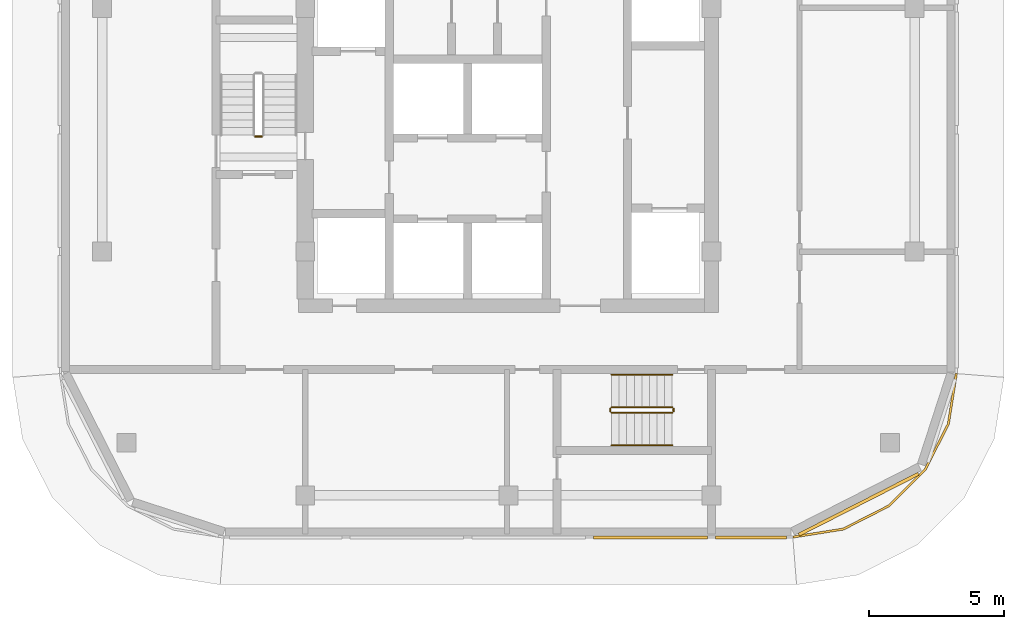
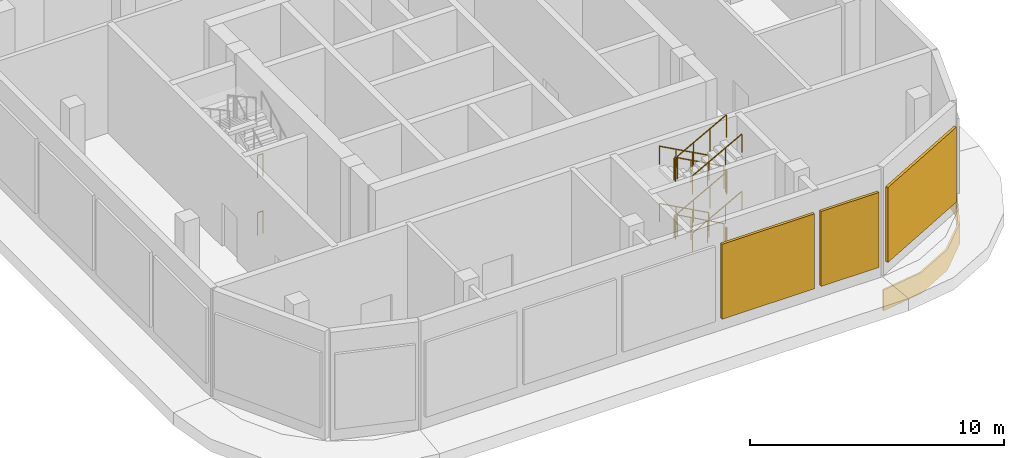
# One storey, part 22 of 23: 14 railings, 3 shading devices, 1 covering.
"""IFC4 building model written with IfcOpenShell, lengths in metres."""

from ifc_helpers import new_model, si_unit, direction, frame, origin, origin_2d, place, context, subcontext, project, spatial, polyline, rectangle, circle, outline, extrude, material, layer, layer_set, type_object, element, save


model = new_model("IFC4")

# Units and contexts
model_context = context("Model", 3, precision=1e-05, world=origin(), true_north=direction((0.0, 1.0)))
body_context = subcontext(model_context, "Body", "Model", "MODEL_VIEW")
ifc_project = project(units=[si_unit("LENGTHUNIT", "METRE"), si_unit("AREAUNIT", "SQUARE_METRE"), si_unit("VOLUMEUNIT", "CUBIC_METRE"), si_unit("PLANEANGLEUNIT", "RADIAN"), si_unit("MASSUNIT", "GRAM", prefix="KILO")], contexts=[model_context])

# Site, building, storey
site_placement = place(None, origin())
site = spatial("IfcSite", under=ifc_project, at=site_placement, CompositionType="ELEMENT")
building_placement = place(site_placement, origin())
building = spatial("IfcBuilding", under=site, at=building_placement, Name="Ogive Portal Towers", CompositionType="ELEMENT")
storey_placement = place(building_placement, frame((0.0, 0.0, 81.60009765625)))
storey = spatial("IfcBuildingStorey", under=building, at=storey_placement, Name="L19", CompositionType="ELEMENT", Elevation=81.60009765625)

# Railings
ifc_material_1 = material(Name="Stainless steel balustrade", Category="steel")
railing_type_1 = type_object("IfcRailingType", Name="INT-GUARD", PredefinedType="GUARDRAIL", material=ifc_material_1)
for number, where, name in (
    (1, (127.39990234375, 30.75, 2.75), "L19 ST-B1 stair guard 4"),
    (2, (127.39990234375, 30.75, 0.0), "L19 ST-B1 stair guard 8"),
):
    element("IfcRailing", number, at=place(storey_placement, frame(where)), inside=storey, type_object=railing_type_1, Name=name, PredefinedType="GUARDRAIL", context=body_context, shape_type="SweptSolid", body=[
        extrude(circle(Radius=0.02392578125, at=origin_2d()), frame((0.0, 0.0, 1.076171875), z_axis=(-1.0, 0.0, 0.0), x_axis=(0.0, -1.0, 0.0)), (0.0, 0.0, 1.0), 0.25),
        extrude(circle(Radius=0.02099609375, at=origin_2d()), origin(), (0.0, 0.0, 1.0), 1.052001953125),
        extrude(circle(Radius=0.02099609375, at=origin_2d()), frame((-0.25, 0.0, 0.0)), (0.0, 0.0, 1.0), 1.052001953125),
    ])
railing_1_placement = place(storey_placement, frame((142.550048828125, 20.75, 0.152587890625)))
element("IfcRailing", 3, at=railing_1_placement, inside=storey, type_object=railing_type_1, Name="L19 ST-B2 stair guard 1", PredefinedType="GUARDRAIL", context=body_context, shape_type="SweptSolid", body=[
    extrude(circle(Radius=0.02392578125, at=origin_2d()), frame((0.0, 0.0, 1.076171875), z_axis=(-0.877796834678, 0.0, 0.479033106402), x_axis=(0.0, -1.0, 0.0)), (0.0, 0.0, 1.0), 2.5517578125),
    extrude(circle(Radius=0.02099609375, at=origin_2d()), origin(), (0.0, 0.0, 1.0), 1.052001953125),
    extrude(circle(Radius=0.02099609375, at=origin_2d()), frame((-0.74658203125, 0.0, 0.407470703125)), (0.0, 0.0, 1.0), 1.052001953125),
    extrude(circle(Radius=0.02099609375, at=origin_2d()), frame((-1.493408203125, 0.0, 0.81494140625)), (0.0, 0.0, 1.0), 1.052001953125),
    extrude(circle(Radius=0.02099609375, at=origin_2d()), frame((-2.239990234375, 0.0, 1.222412109375)), (0.0, 0.0, 1.0), 1.052001953125),
])
railing_2_placement = place(storey_placement, frame((140.260009765625, 20.699951171875, 1.375)))
element("IfcRailing", 4, at=railing_2_placement, inside=storey, type_object=railing_type_1, Name="L19 ST-B2 stair guard 2", PredefinedType="GUARDRAIL", context=body_context, shape_type="SweptSolid", body=[
    extrude(circle(Radius=0.02392578125, at=origin_2d()), frame((0.0, 0.0, 1.076171875), z_axis=(0.0, -1.0, 0.0), x_axis=(1.0, 0.0, 0.0)), (0.0, 0.0, 1.0), 0.099853515625),
    extrude(circle(Radius=0.02099609375, at=origin_2d()), origin(), (0.0, 0.0, 1.0), 1.052001953125),
    extrude(circle(Radius=0.02099609375, at=origin_2d()), frame((0.0, -0.099853515625, 0.0)), (0.0, 0.0, 1.0), 1.052001953125),
])
railing_3_placement = place(storey_placement, frame((140.31005859375, 20.550048828125, 1.527587890625)))
element("IfcRailing", 5, at=railing_3_placement, inside=storey, type_object=railing_type_1, Name="L19 ST-B2 stair guard 3", PredefinedType="GUARDRAIL", context=body_context, shape_type="SweptSolid", body=[
    extrude(circle(Radius=0.02392578125, at=origin_2d()), frame((0.0, 0.0, 1.076171875), z_axis=(0.877796834678, 0.0, 0.479033106402), x_axis=(0.0, 1.0, 0.0)), (0.0, 0.0, 1.0), 2.5517578125),
    extrude(circle(Radius=0.02099609375, at=origin_2d()), origin(), (0.0, 0.0, 1.0), 1.052001953125),
    extrude(circle(Radius=0.02099609375, at=origin_2d()), frame((0.74658203125, 0.0, 0.407470703125)), (0.0, 0.0, 1.0), 1.052001953125),
    extrude(circle(Radius=0.02099609375, at=origin_2d()), frame((1.493408203125, 0.0, 0.81494140625)), (0.0, 0.0, 1.0), 1.052001953125),
    extrude(circle(Radius=0.02099609375, at=origin_2d()), frame((2.239990234375, 0.0, 1.222412109375)), (0.0, 0.0, 1.0), 1.052001953125),
])
railing_4_placement = place(storey_placement, frame((142.60009765625, 20.699951171875, 2.75)))
element("IfcRailing", 6, at=railing_4_placement, inside=storey, type_object=railing_type_1, Name="L19 ST-B2 stair guard 4", PredefinedType="GUARDRAIL", context=body_context, shape_type="SweptSolid", body=[
    extrude(circle(Radius=0.02392578125, at=origin_2d()), frame((0.0, 0.0, 1.076171875), z_axis=(0.0, -1.0, 0.0), x_axis=(1.0, 0.0, 0.0)), (0.0, 0.0, 1.0), 0.099853515625),
    extrude(circle(Radius=0.02099609375, at=origin_2d()), origin(), (0.0, 0.0, 1.0), 1.052001953125),
    extrude(circle(Radius=0.02099609375, at=origin_2d()), frame((0.0, -0.099853515625, 0.0)), (0.0, 0.0, 1.0), 1.052001953125),
])
railing_5_placement = place(storey_placement, frame((142.550048828125, 20.75, 2.902587890625)))
element("IfcRailing", 7, at=railing_5_placement, inside=storey, type_object=railing_type_1, Name="L19 ST-B2 stair guard 5", PredefinedType="GUARDRAIL", context=body_context, shape_type="SweptSolid", body=[
    extrude(circle(Radius=0.02392578125, at=origin_2d()), frame((0.0, 0.0, 1.076171875), z_axis=(-0.877796834678, 0.0, 0.479033106402), x_axis=(0.0, -1.0, 0.0)), (0.0, 0.0, 1.0), 2.5517578125),
    extrude(circle(Radius=0.02099609375, at=origin_2d()), origin(), (0.0, 0.0, 1.0), 1.052001953125),
    extrude(circle(Radius=0.02099609375, at=origin_2d()), frame((-0.74658203125, 0.0, 0.407470703125)), (0.0, 0.0, 1.0), 1.052001953125),
    extrude(circle(Radius=0.02099609375, at=origin_2d()), frame((-1.493408203125, 0.0, 0.81494140625)), (0.0, 0.0, 1.0), 1.052001953125),
    extrude(circle(Radius=0.02099609375, at=origin_2d()), frame((-2.239990234375, 0.0, 1.222412109375)), (0.0, 0.0, 1.0), 1.052001953125),
])
railing_6_placement = place(storey_placement, frame((140.260009765625, 20.699951171875, 4.125)))
element("IfcRailing", 8, at=railing_6_placement, inside=storey, type_object=railing_type_1, Name="L19 ST-B2 stair guard 6", PredefinedType="GUARDRAIL", context=body_context, shape_type="SweptSolid", body=[
    extrude(circle(Radius=0.02392578125, at=origin_2d()), frame((0.0, 0.0, 1.076171875), z_axis=(0.0, -1.0, 0.0), x_axis=(1.0, 0.0, 0.0)), (0.0, 0.0, 1.0), 0.099853515625),
    extrude(circle(Radius=0.02099609375, at=origin_2d()), origin(), (0.0, 0.0, 1.0), 1.052001953125),
    extrude(circle(Radius=0.02099609375, at=origin_2d()), frame((0.0, -0.099853515625, 0.0)), (0.0, 0.0, 1.0), 1.052001953125),
])
railing_7_placement = place(storey_placement, frame((140.31005859375, 20.550048828125, 4.277587890625)))
element("IfcRailing", 9, at=railing_7_placement, inside=storey, type_object=railing_type_1, Name="L19 ST-B2 stair guard 7", PredefinedType="GUARDRAIL", context=body_context, shape_type="SweptSolid", body=[
    extrude(circle(Radius=0.02392578125, at=origin_2d()), frame((0.0, 0.0, 1.076171875), z_axis=(0.877796834678, 0.0, 0.479033106402), x_axis=(0.0, 1.0, 0.0)), (0.0, 0.0, 1.0), 2.5517578125),
    extrude(circle(Radius=0.02099609375, at=origin_2d()), origin(), (0.0, 0.0, 1.0), 1.052001953125),
    extrude(circle(Radius=0.02099609375, at=origin_2d()), frame((0.74658203125, 0.0, 0.407470703125)), (0.0, 0.0, 1.0), 1.052001953125),
    extrude(circle(Radius=0.02099609375, at=origin_2d()), frame((1.493408203125, 0.0, 0.81494140625)), (0.0, 0.0, 1.0), 1.052001953125),
    extrude(circle(Radius=0.02099609375, at=origin_2d()), frame((2.239990234375, 0.0, 1.222412109375)), (0.0, 0.0, 1.0), 1.052001953125),
])
railing_8_placement = place(storey_placement, frame((142.60009765625, 20.699951171875, 0.0)))
element("IfcRailing", 10, at=railing_8_placement, inside=storey, type_object=railing_type_1, Name="L19 ST-B2 stair guard 8", PredefinedType="GUARDRAIL", context=body_context, shape_type="SweptSolid", body=[
    extrude(circle(Radius=0.02392578125, at=origin_2d()), frame((0.0, 0.0, 1.076171875), z_axis=(0.0, -1.0, 0.0), x_axis=(1.0, 0.0, 0.0)), (0.0, 0.0, 1.0), 0.099853515625),
    extrude(circle(Radius=0.02099609375, at=origin_2d()), origin(), (0.0, 0.0, 1.0), 1.052001953125),
    extrude(circle(Radius=0.02099609375, at=origin_2d()), frame((0.0, -0.099853515625, 0.0)), (0.0, 0.0, 1.0), 1.052001953125),
])
ifc_material_2 = material(Name="Stainless steel handrail", Category="steel")
railing_type_2 = type_object("IfcRailingType", Name="INT-HANDRAIL", PredefinedType="HANDRAIL", material=ifc_material_2)
railing_9_placement = place(storey_placement, frame((142.550048828125, 21.949951171875, 0.152587890625)))
element("IfcRailing", 11, at=railing_9_placement, inside=storey, type_object=railing_type_2, Name="L19 ST-B2 stair handrail 1", PredefinedType="HANDRAIL", context=body_context, shape_type="SweptSolid", body=[
    extrude(circle(Radius=0.02392578125, at=origin_2d()), frame((0.0, 0.0, 0.8759765625), z_axis=(-0.877796834678, 0.0, 0.479033106402), x_axis=(0.0, -1.0, 0.0)), (0.0, 0.0, 1.0), 2.5517578125),
    extrude(circle(Radius=0.02099609375, at=origin_2d()), origin(), (0.0, 0.0, 1.0), 0.851806640625),
    extrude(circle(Radius=0.02099609375, at=origin_2d()), frame((-0.74658203125, 0.0, 0.407470703125)), (0.0, 0.0, 1.0), 0.851806640625),
    extrude(circle(Radius=0.02099609375, at=origin_2d()), frame((-1.493408203125, 0.0, 0.81494140625)), (0.0, 0.0, 1.0), 0.851806640625),
    extrude(circle(Radius=0.02099609375, at=origin_2d()), frame((-2.239990234375, 0.0, 1.222412109375)), (0.0, 0.0, 1.0), 0.851806640625),
])
railing_10_placement = place(storey_placement, frame((140.31005859375, 19.35009765625, 1.527587890625)))
element("IfcRailing", 12, at=railing_10_placement, inside=storey, type_object=railing_type_2, Name="L19 ST-B2 stair handrail 2", PredefinedType="HANDRAIL", context=body_context, shape_type="SweptSolid", body=[
    extrude(circle(Radius=0.02392578125, at=origin_2d()), frame((0.0, 0.0, 0.8759765625), z_axis=(0.877796834678, 0.0, 0.479033106402), x_axis=(0.0, 1.0, 0.0)), (0.0, 0.0, 1.0), 2.5517578125),
    extrude(circle(Radius=0.02099609375, at=origin_2d()), origin(), (0.0, 0.0, 1.0), 0.851806640625),
    extrude(circle(Radius=0.02099609375, at=origin_2d()), frame((0.74658203125, 0.0, 0.407470703125)), (0.0, 0.0, 1.0), 0.851806640625),
    extrude(circle(Radius=0.02099609375, at=origin_2d()), frame((1.493408203125, 0.0, 0.81494140625)), (0.0, 0.0, 1.0), 0.851806640625),
    extrude(circle(Radius=0.02099609375, at=origin_2d()), frame((2.239990234375, 0.0, 1.222412109375)), (0.0, 0.0, 1.0), 0.851806640625),
])
railing_11_placement = place(storey_placement, frame((142.550048828125, 21.949951171875, 2.902587890625)))
element("IfcRailing", 13, at=railing_11_placement, inside=storey, type_object=railing_type_2, Name="L19 ST-B2 stair handrail 3", PredefinedType="HANDRAIL", context=body_context, shape_type="SweptSolid", body=[
    extrude(circle(Radius=0.02392578125, at=origin_2d()), frame((0.0, 0.0, 0.8759765625), z_axis=(-0.877796834678, 0.0, 0.479033106402), x_axis=(0.0, -1.0, 0.0)), (0.0, 0.0, 1.0), 2.5517578125),
    extrude(circle(Radius=0.02099609375, at=origin_2d()), origin(), (0.0, 0.0, 1.0), 0.851806640625),
    extrude(circle(Radius=0.02099609375, at=origin_2d()), frame((-0.74658203125, 0.0, 0.407470703125)), (0.0, 0.0, 1.0), 0.851806640625),
    extrude(circle(Radius=0.02099609375, at=origin_2d()), frame((-1.493408203125, 0.0, 0.81494140625)), (0.0, 0.0, 1.0), 0.851806640625),
    extrude(circle(Radius=0.02099609375, at=origin_2d()), frame((-2.239990234375, 0.0, 1.222412109375)), (0.0, 0.0, 1.0), 0.851806640625),
])
railing_12_placement = place(storey_placement, frame((140.31005859375, 19.35009765625, 4.277587890625)))
element("IfcRailing", 14, at=railing_12_placement, inside=storey, type_object=railing_type_2, Name="L19 ST-B2 stair handrail 4", PredefinedType="HANDRAIL", context=body_context, shape_type="SweptSolid", body=[
    extrude(circle(Radius=0.02392578125, at=origin_2d()), frame((0.0, 0.0, 0.8759765625), z_axis=(0.877796834678, 0.0, 0.479033106402), x_axis=(0.0, 1.0, 0.0)), (0.0, 0.0, 1.0), 2.5517578125),
    extrude(circle(Radius=0.02099609375, at=origin_2d()), origin(), (0.0, 0.0, 1.0), 0.851806640625),
    extrude(circle(Radius=0.02099609375, at=origin_2d()), frame((0.74658203125, 0.0, 0.407470703125)), (0.0, 0.0, 1.0), 0.851806640625),
    extrude(circle(Radius=0.02099609375, at=origin_2d()), frame((1.493408203125, 0.0, 0.81494140625)), (0.0, 0.0, 1.0), 0.851806640625),
    extrude(circle(Radius=0.02099609375, at=origin_2d()), frame((2.239990234375, 0.0, 1.222412109375)), (0.0, 0.0, 1.0), 0.851806640625),
])

# Shading devices
ifc_material_3 = material(Name="Aluminium 6063 anodised", Category="aluminium")
ifc_layer_1 = layer(ifc_material_3, 0.1201171875)
ifc_layer_set_1 = layer_set([ifc_layer_1], Name="LOUVRE BANK ALUMINIUM")
shading_device_type = type_object("IfcShadingDeviceType", Name="LOUVRE BANK ALUMINIUM", PredefinedType="USERDEFINED", material=ifc_layer_set_1)
shading_device_1_placement = place(storey_placement, frame((141.75, 15.93994140625, 0.599853515625), z_axis=(0.0, 0.0, 1.0), x_axis=(1.0, 0.0, 0.0)))
element("IfcShadingDevice", 15, at=shading_device_1_placement, inside=storey, type_object=shading_device_type, Name="Louvre bank 4", ObjectType="LOUVRE", PredefinedType="USERDEFINED", context=body_context, shape_type="SweptSolid", body=[
    extrude(rectangle(XDim=4.199951171875, YDim=0.1201171875, at=origin_2d()), origin(), (0.0, 0.0, 1.0), 3.60009765625),
])
shading_device_2_placement = place(storey_placement, frame((145.4638671875, 15.93994140625, 0.599853515625), z_axis=(0.0, 0.0, 1.0), x_axis=(1.0, 0.0, 0.0)))
element("IfcShadingDevice", 16, at=shading_device_2_placement, inside=storey, type_object=shading_device_type, Name="Louvre bank 5", ObjectType="LOUVRE", PredefinedType="USERDEFINED", context=body_context, shape_type="SweptSolid", body=[
    extrude(rectangle(XDim=2.6279296875, YDim=0.1201171875, at=origin_2d()), origin(), (0.0, 0.0, 1.0), 3.60009765625),
])
shading_device_3_placement = place(storey_placement, frame((149.430908203125, 17.17138671875, 0.599853515625), z_axis=(0.0, 0.0, 1.0), x_axis=(0.891006524188, 0.45399049974, 0.0)))
element("IfcShadingDevice", 17, at=shading_device_3_placement, inside=storey, type_object=shading_device_type, Name="Louvre bank 1", ObjectType="LOUVRE", PredefinedType="USERDEFINED", context=body_context, shape_type="SweptSolid", body=[
    extrude(rectangle(XDim=4.95166015625, YDim=0.1201171875, at=origin_2d()), origin(), (0.0, 0.0, 1.0), 3.60009765625),
])

# Covering
ifc_material_4 = material(Name="Limestone cladding on lightweight block wall", Category="masonry")
ifc_layer_2 = layer(ifc_material_4, 0.080078125)
ifc_layer_set_2 = layer_set([ifc_layer_2], Name="STONE SPANDREL 80")
covering_type = type_object("IfcCoveringType", Name="STONE SPANDREL 80", PredefinedType="CLADDING", material=ifc_layer_set_2)
covering_placement = place(storey_placement, frame((0.0, 0.0, -1.60009765625)))
element("IfcCovering", 18, at=covering_placement, inside=storey, type_object=covering_type, Name="Stone spandrel B1-F03", PredefinedType="CLADDING", context=body_context, shape_type="SweptSolid", body=[
    extrude(outline(polyline([(147.0, 16.0), (148.85400390625, 16.293701171875), (150.526611328125, 17.14599609375), (151.85400390625, 18.473388671875), (152.706298828125, 20.14599609375), (153.0, 22.0), (153.080078125, 21.99365234375), (152.783447265625, 20.120849609375), (151.919677734375, 18.42578125), (150.57421875, 17.080322265625), (148.879150390625, 16.216552734375), (147.00634765625, 15.919921875), (147.0, 16.0)])), origin(), (0.0, 0.0, 1.0), 1.0),
])

save(model, "model.ifc")
